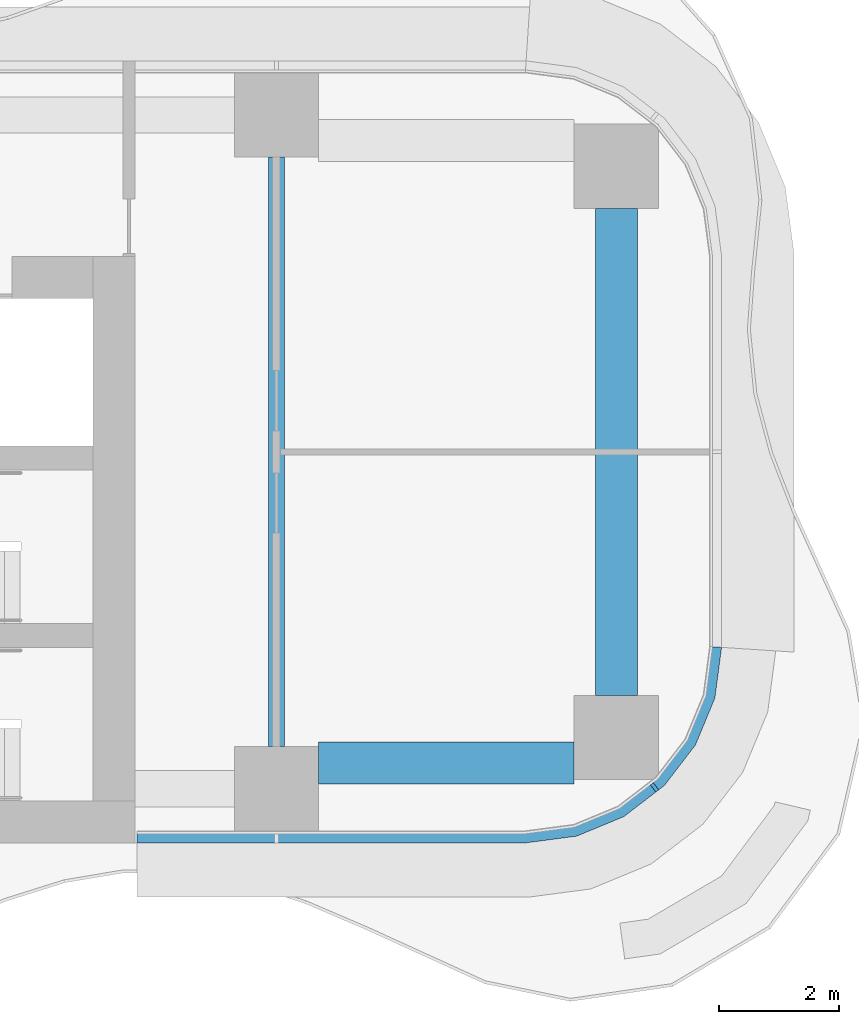
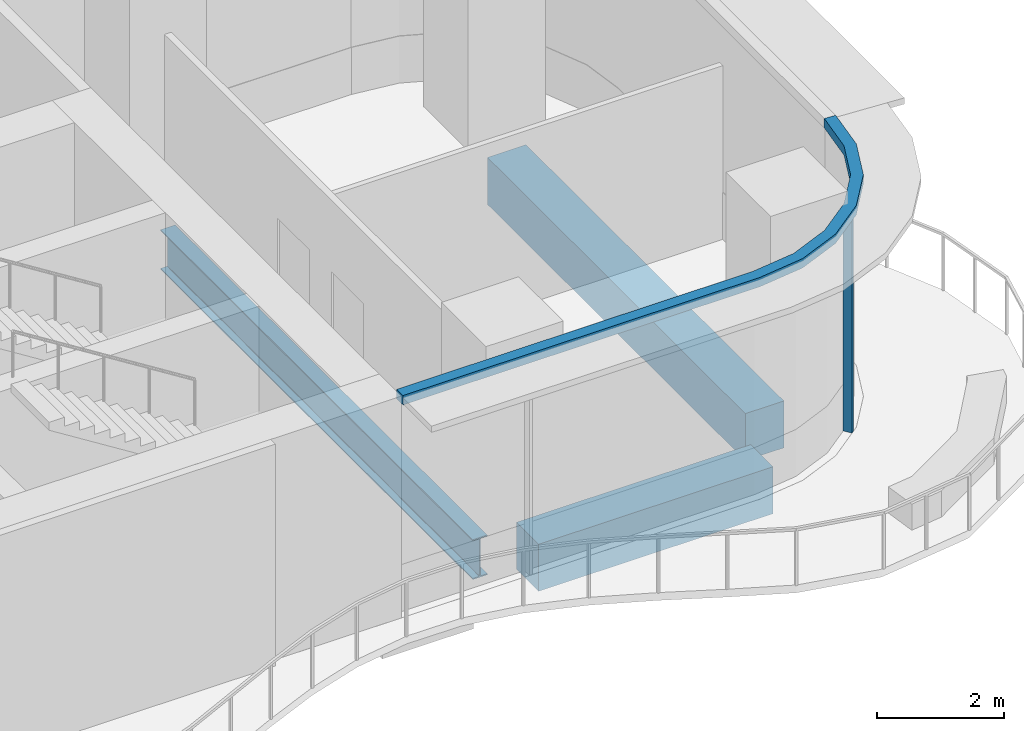
# One storey, part 7 of 22: 3 beams, 2 members, 1 element without a shape of its own.
"""IFC4 building model written with IfcOpenShell, lengths in metres."""

import ifcopenshell
import ifcopenshell.guid

model = None  # the IFC model being written
_history = None  # IfcOwnerHistory: only IFC2X3 demands one
_inside = {}  # id of a spatial element -> (the spatial element, [elements in it])
_under = {}  # id of a project, library or spatial element -> (it, [spatial elements below it])
_declared = {}  # id of a project -> (the project, [libraries it declares])
_typed = {}  # id of a type object -> (the type object, [elements of that type])
_made_of = {}  # id of a material, layer set ... -> (it, [elements and type objects made of it])


def new_model(schema):
    """Start an empty IFC model of exactly this schema.

    Asked for "IFC4X3", IfcOpenShell would pick the latest addendum, in which some entities
    have other attributes; the version numbers below select the first issue.
    IFC2X3 requires an IfcOwnerHistory on every rooted entity: one is made here for all.
    """
    global model, _history
    if schema == "IFC4X3":
        model = ifcopenshell.file(schema_version=(4, 3, 0, 0))
    else:
        model = ifcopenshell.file(schema=schema)
    _inside.clear()
    _under.clear()
    _declared.clear()
    _typed.clear()
    _made_of.clear()
    _history = None
    if model.schema == "IFC2X3":
        org = make("IfcOrganization", Name="unknown")
        user = make(
            "IfcPersonAndOrganization",
            ThePerson=make("IfcPerson", FamilyName="unknown"),
            TheOrganization=org,
        )
        app = make(
            "IfcApplication",
            ApplicationDeveloper=org,
            Version="unknown",
            ApplicationFullName="unknown",
            ApplicationIdentifier="unknown",
        )
        _history = make(
            "IfcOwnerHistory",
            OwningUser=user,
            OwningApplication=app,
            ChangeAction="ADDED",
            CreationDate=0,
        )
    return model


def make(cls, **values):
    """One entity of the class cls with the attributes given. An attribute that is None is left unset."""
    return model.create_entity(
        cls, **{name: value for name, value in values.items() if value is not None}
    )


def rooted(cls, **values):
    """An entity with a GlobalId (a new one), such as an element, a storey or a relation."""
    return make(cls, GlobalId=ifcopenshell.guid.new(), OwnerHistory=_history, **values)


def si_unit(unit_type, name, prefix=None):
    """IfcSIUnit, for example si_unit("LENGTHUNIT", "METRE", prefix="MILLI")."""
    return make("IfcSIUnit", UnitType=unit_type, Prefix=prefix, Name=name)


def assignment(units):
    """IfcUnitAssignment: the units of a project."""
    return None if units is None else make("IfcUnitAssignment", Units=units)


def point(xyz):
    """IfcCartesianPoint."""
    return None if xyz is None else make("IfcCartesianPoint", Coordinates=xyz)


def direction(xyz):
    """IfcDirection."""
    return None if xyz is None else make("IfcDirection", DirectionRatios=xyz)


def frame(location, z_axis=None, x_axis=None):
    """IfcAxis2Placement3D, a coordinate frame: its origin and axes. An axis left out is left unset."""
    return make(
        "IfcAxis2Placement3D",
        Location=point(location),
        Axis=direction(z_axis),
        RefDirection=direction(x_axis),
    )


def frame_2d(location, x_axis=None):
    """IfcAxis2Placement2D, a coordinate frame in the plane: its origin and x axis."""
    return make(
        "IfcAxis2Placement2D", Location=point(location), RefDirection=direction(x_axis)
    )


def origin():
    """The frame at (0, 0, 0) with its axes left unset."""
    return frame((0.0, 0.0, 0.0))


def origin_2d():
    """The frame at (0, 0) in the plane with its x axis left unset."""
    return frame_2d((0.0, 0.0))


def place(relative_to, where):
    """IfcLocalPlacement: puts the frame where relative to a parent placement (None: the world)."""
    return make(
        "IfcLocalPlacement", PlacementRelTo=relative_to, RelativePlacement=where
    )


def context(
    kind, dimensions, precision=None, world=None, true_north=None, identifier=None
):
    """IfcGeometricRepresentationContext, for example the 3D "Model" context."""
    return make(
        "IfcGeometricRepresentationContext",
        ContextIdentifier=identifier,
        ContextType=kind,
        CoordinateSpaceDimension=dimensions,
        Precision=precision,
        WorldCoordinateSystem=world,
        TrueNorth=true_north,
    )


def subcontext(parent, identifier, kind, view, scale=None):
    """IfcGeometricRepresentationSubContext, for example "Body" below "Model"."""
    return make(
        "IfcGeometricRepresentationSubContext",
        ContextIdentifier=identifier,
        ContextType=kind,
        ParentContext=parent,
        TargetScale=scale,
        TargetView=view,
    )


def project(units=None, contexts=None):
    """IfcProject with its units and contexts."""
    return rooted(
        "IfcProject",
        Name="project",
        RepresentationContexts=contexts,
        UnitsInContext=assignment(units),
    )


def spatial(cls, under=None, at=None, **own):
    """A site, building, storey or space (cls), placed at a placement, below another one or the project."""
    s = rooted(cls, ObjectPlacement=at, **own)
    if under is not None:
        _under.setdefault(under.id(), (under, []))[1].append(s)
    return s


def polyline(points):
    """IfcPolyline through the points."""
    return make("IfcPolyline", Points=[point(p) for p in points])


def profile(cls, at=None, kind="AREA", **sizes):
    """A parametric profile (cls). Its sizes go by their IFC names, for example OverallWidth=200.0."""
    return make(cls, ProfileType=kind, Position=at, **sizes)


def rectangle(**sizes):
    """IfcRectangleProfileDef."""
    return profile("IfcRectangleProfileDef", **sizes)


def i_section(**sizes):
    """IfcIShapeProfileDef."""
    return profile("IfcIShapeProfileDef", **sizes)


def outline(outer, holes=None, kind="AREA"):
    """IfcArbitraryClosedProfileDef: a profile drawn as a closed curve; with holes, ...WithVoids."""
    if holes is None:
        return make("IfcArbitraryClosedProfileDef", ProfileType=kind, OuterCurve=outer)
    return make(
        "IfcArbitraryProfileDefWithVoids",
        ProfileType=kind,
        OuterCurve=outer,
        InnerCurves=holes,
    )


def extrude(swept, where, along, depth):
    """IfcExtrudedAreaSolid: the profile swept, set in the frame where, extruded along a direction by depth."""
    return make(
        "IfcExtrudedAreaSolid",
        SweptArea=swept,
        Position=where,
        ExtrudedDirection=direction(along),
        Depth=depth,
    )


def shape(context_of_items, identifier, shape_type, items):
    """IfcShapeRepresentation: the items that make up one representation, for example the "Body"."""
    return make(
        "IfcShapeRepresentation",
        ContextOfItems=context_of_items,
        RepresentationIdentifier=identifier,
        RepresentationType=shape_type,
        Items=items,
    )


def source(mapping_origin, context_of_items, identifier, shape_type, items):
    """IfcRepresentationMap: a shape defined once, which mapped items show again and again."""
    return make(
        "IfcRepresentationMap",
        MappingOrigin=mapping_origin,
        MappedRepresentation=shape(context_of_items, identifier, shape_type, items),
    )


def transform(
    local_origin,
    x_axis=None,
    y_axis=None,
    z_axis=None,
    scale=None,
    scale2=None,
    scale3=None,
    uniform=True,
):
    """IfcCartesianTransformationOperator3D, or its non-uniform kind. x_axis, y_axis, z_axis: its Axis1, 2, 3."""
    if uniform:
        return make(
            "IfcCartesianTransformationOperator3D",
            Axis1=direction(x_axis),
            Axis2=direction(y_axis),
            LocalOrigin=point(local_origin),
            Scale=scale,
            Axis3=direction(z_axis),
        )
    return make(
        "IfcCartesianTransformationOperator3DnonUniform",
        Axis1=direction(x_axis),
        Axis2=direction(y_axis),
        LocalOrigin=point(local_origin),
        Scale=scale,
        Axis3=direction(z_axis),
        Scale2=scale2,
        Scale3=scale3,
    )


def mapped(mapping_source, mapping_target):
    """IfcMappedItem: shows the shape of a source again, moved by a transform."""
    return make(
        "IfcMappedItem", MappingSource=mapping_source, MappingTarget=mapping_target
    )


def material(Name=None, Category=None):
    """IfcMaterial."""
    return make("IfcMaterial", Name=Name, Category=Category)


def layer(
    of_material, thickness, ventilated=None, Name=None, Category=None, Priority=None
):
    """IfcMaterialLayer: one layer of a wall or slab, of a material (None: an air gap)."""
    return make(
        "IfcMaterialLayer",
        Material=of_material,
        LayerThickness=thickness,
        IsVentilated=ventilated,
        Name=Name,
        Category=Category,
        Priority=Priority,
    )


def layer_set(layers, Name=None):
    """IfcMaterialLayerSet."""
    return make("IfcMaterialLayerSet", MaterialLayers=layers, LayerSetName=Name)


def material_profile(
    of_material, cross_section, Name=None, Category=None, Priority=None
):
    """IfcMaterialProfile: a cross section and its material."""
    return make(
        "IfcMaterialProfile",
        Name=Name,
        Material=of_material,
        Profile=cross_section,
        Priority=Priority,
        Category=Category,
    )


def profile_set(profiles, Name=None, composite=None):
    """IfcMaterialProfileSet."""
    return make(
        "IfcMaterialProfileSet",
        Name=Name,
        MaterialProfiles=profiles,
        CompositeProfile=composite,
    )


def made_of(thing, what):
    """Note that an element or type object is made of a material, layer set ...; save() writes the relation."""
    if what is not None:
        _made_of.setdefault(what.id(), (what, []))[1].append(thing)
    return thing


def type_object(cls, material=None, **own):
    """A type object (cls), such as IfcWallType, which elements share."""
    return made_of(rooted(cls, **own), material)


def element(
    cls,
    number,
    at=None,
    inside=None,
    cuts=None,
    type_object=None,
    material=None,
    context=None,
    identifier="Body",
    shape_type=None,
    held_by="IfcProductDefinitionShape",
    body=None,
    shapes=None,
    **own,
):
    """One element of the class cls, such as IfcWall. Its Tag is "e" and its number.

    at: its placement. inside: the storey or other place that contains it. cuts: it is an
    opening in that element (IfcRelVoidsElement). A single representation is given by context,
    identifier, shape_type and body (its items); several are given by shapes. held_by: the class
    of the entity that holds the representations. save() writes the other relations.
    """
    e = rooted(cls, Tag="e%d" % number, ObjectPlacement=at, **own)
    if body is not None:
        shapes = [shape(context, identifier, shape_type, body)]
    if shapes is not None:
        e.Representation = make(held_by, Representations=shapes)
    if inside is not None:
        _inside.setdefault(inside.id(), (inside, []))[1].append(e)
    if cuts is not None:
        rooted(
            "IfcRelVoidsElement", RelatingBuildingElement=cuts, RelatedOpeningElement=e
        )
    if type_object is not None:
        _typed.setdefault(type_object.id(), (type_object, []))[1].append(e)
    return made_of(e, material)


def aggregate(whole, parts):
    """IfcRelAggregates: a whole, such as a stair, and the parts it consists of."""
    return rooted("IfcRelAggregates", RelatingObject=whole, RelatedObjects=parts)


def save(model, path):
    """Write the relations noted so far, then the file.

    IfcRelAggregates (storeys below a building ...), IfcRelContainedInSpatialStructure (elements
    in a storey), IfcRelDefinesByType, IfcRelAssociatesMaterial and IfcRelDeclares: one each for
    every whole, place, type object, material and project.
    """
    for whole, parts in _under.values():
        aggregate(whole, parts)
    for where, things in _inside.values():
        rooted(
            "IfcRelContainedInSpatialStructure",
            RelatedElements=things,
            RelatingStructure=where,
        )
    for kind, things in _typed.values():
        rooted("IfcRelDefinesByType", RelatedObjects=things, RelatingType=kind)
    for what, things in _made_of.values():
        rooted("IfcRelAssociatesMaterial", RelatedObjects=things, RelatingMaterial=what)
    for by, libraries in _declared.values():
        rooted("IfcRelDeclares", RelatingContext=by, RelatedDefinitions=libraries)
    model.write(path)


model = new_model("IFC4")

# Units and contexts
model_context = context("Model", 3, precision=1e-05, world=origin(), true_north=direction((0.0, 1.0)))
body_context = subcontext(model_context, "Body", "Model", "MODEL_VIEW")
ifc_project = project(units=[si_unit("LENGTHUNIT", "METRE"), si_unit("AREAUNIT", "SQUARE_METRE"), si_unit("VOLUMEUNIT", "CUBIC_METRE"), si_unit("PLANEANGLEUNIT", "RADIAN"), si_unit("MASSUNIT", "GRAM", prefix="KILO")], contexts=[model_context])

# Site, building, storey
site_placement = place(None, origin())
site = spatial("IfcSite", under=ifc_project, at=site_placement, CompositionType="ELEMENT")
building_placement = place(site_placement, origin())
building = spatial("IfcBuilding", under=site, at=building_placement, Name="Trellis Farm Tower", CompositionType="ELEMENT")
storey_placement = place(building_placement, frame((0.0, 0.0, 56.5)))
storey = spatial("IfcBuildingStorey", under=building, at=storey_placement, Name="L11", CompositionType="ELEMENT", Elevation=56.5)

# Beams
ifc_material_1 = material(Name="Steel S355", Category="steel")
ifc_material_profile_1 = material_profile(ifc_material_1, i_section(OverallWidth=0.2666015625, OverallDepth=0.76220703125, WebThickness=0.014404296875, FlangeThickness=0.021484375, FilletRadius=0.0166015625, at=origin_2d()), Name="UB 762x267x173")
ifc_profile_set_1 = profile_set([ifc_material_profile_1], Name="Steel S355")
beam_type_1 = type_object("IfcBeamType", Name="UB 762x267x173", PredefinedType="BEAM", material=ifc_profile_set_1)
shared_shape_1 = source(origin(), body_context, "Body", "SweptSolid", [
    extrude(i_section(OverallWidth=0.2666015625, OverallDepth=0.76220703125, WebThickness=0.014404296875, FlangeThickness=0.021484375, FilletRadius=0.0166015625, at=origin_2d()), origin(), (0.0, 0.0, 1.0), 9.7998046875),
])
beam_1_placement = place(storey_placement, frame((25.10009765625, -4.89990234375, -0.631103515625), z_axis=(0.0, 1.0, 0.0), x_axis=(-1.0, 0.0, 0.0)))
element("IfcBeam", 1, at=beam_1_placement, inside=storey, type_object=beam_type_1, Name="Girder", PredefinedType="BEAM", context=body_context, shape_type="MappedRepresentation", body=[
    mapped(shared_shape_1, transform((0.0, 0.0, 0.0))),
])
ifc_material_2 = material(Name="Concrete C60/75", Category="concrete")
ifc_material_profile_2 = material_profile(ifc_material_2, rectangle(XDim=0.699951171875, YDim=0.89990234375, at=origin_2d()), Name="RC spandrel beam 700x900 C60/75")
ifc_profile_set_2 = profile_set([ifc_material_profile_2], Name="Concrete C60/75")
beam_type_2 = type_object("IfcBeamType", Name="RC spandrel beam 700x900 C60/75", PredefinedType="SPANDREL", material=ifc_profile_set_2)
shared_shape_2 = source(origin(), body_context, "Body", "SweptSolid", [
    extrude(rectangle(XDim=0.699951171875, YDim=0.89990234375, at=origin_2d()), origin(), (0.0, 0.0, 1.0), 4.25),
])
beam_2_placement = place(storey_placement, frame((25.800048828125, -5.175048828125, -0.699951171875), z_axis=(1.0, 0.0, 0.0), x_axis=(0.0, 1.0, 0.0)))
element("IfcBeam", 2, at=beam_2_placement, inside=storey, type_object=beam_type_2, Name="Girder", PredefinedType="SPANDREL", context=body_context, shape_type="MappedRepresentation", body=[
    mapped(shared_shape_2, transform((0.0, 0.0, 0.0))),
])
shared_shape_3 = source(origin(), body_context, "Body", "SweptSolid", [
    extrude(rectangle(XDim=0.699951171875, YDim=0.89990234375, at=origin_2d()), origin(), (0.0, 0.0, 1.0), 8.10009765625),
])
beam_3_placement = place(storey_placement, frame((30.75, -4.050048828125, -0.699951171875), z_axis=(0.0, 1.0, 0.0), x_axis=(-1.0, 0.0, 0.0)))
element("IfcBeam", 3, at=beam_3_placement, inside=storey, type_object=beam_type_2, Name="Girder", PredefinedType="SPANDREL", context=body_context, shape_type="MappedRepresentation", body=[
    mapped(shared_shape_3, transform((0.0, 0.0, 0.0))),
])

# Curtain wall, members
ifc_material_3 = material(Name="Aluminium and glass curtain wall", Category="aluminium")
ifc_layer_1 = layer(ifc_material_3, 0.18994140625)
ifc_layer_set_1 = layer_set([ifc_layer_1], Name="RIBBON CURTAIN WALL CW1")
curtain_wall_type = type_object("IfcCurtainWallType", Name="RIBBON CURTAIN WALL CW1", PredefinedType="NOTDEFINED", material=ifc_layer_set_1)
curtain_wall_placement = place(storey_placement, origin())
curtain_wall = element("IfcCurtainWall", 4, at=curtain_wall_placement, inside=storey, type_object=curtain_wall_type, Name="CW1 006", PredefinedType="NOTDEFINED")
ifc_material_4 = material(Name="Aluminium extrusion 6063-T6", Category="aluminium")
ifc_material_profile_3 = material_profile(ifc_material_4, rectangle(XDim=0.06005859375, YDim=0.14990234375, at=origin_2d()), Name="MULLION 60x150")
ifc_profile_set_3 = profile_set([ifc_material_profile_3], Name="Aluminium extrusion 6063-T6")
member_type_1 = type_object("IfcMemberType", Name="CW1 MULLION 60x150", PredefinedType="MULLION", material=ifc_profile_set_3)
shared_shape_4 = source(origin(), body_context, "Body", "SweptSolid", [
    extrude(rectangle(XDim=0.06005859375, YDim=0.14990234375, at=origin_2d()), origin(), (0.0, 0.0, 1.0), 4.070068359375),
])
member_1_placement = place(storey_placement, frame((31.385498046875, -5.578369140625, 0.0), z_axis=(0.0, 0.0, 1.0), x_axis=(0.793353340291, 0.608761429009, 0.0)))
member_1 = element("IfcMember", 5, at=member_1_placement, type_object=member_type_1, Name="MU1 006-02", PredefinedType="MULLION", context=body_context, shape_type="MappedRepresentation", body=[
    mapped(shared_shape_4, transform((0.0, 0.0, 0.0))),
])
ifc_layer_2 = layer(ifc_material_4, 0.199951171875)
ifc_layer_set_2 = layer_set([ifc_layer_2], Name="Aluminium extrusion 6063-T6")
member_type_2 = type_object("IfcMemberType", Name="CW1 TRANSOM 200x180", PredefinedType="USERDEFINED", material=ifc_layer_set_2)
shared_shape_5 = source(origin(), body_context, "Body", "SweptSolid", [
    extrude(outline(polyline([(22.780029296875, -6.5), (29.25, -6.5), (30.091064453125, -6.38916015625), (30.875, -6.064697265625), (31.548095703125, -5.548095703125), (32.064697265625, -4.875), (32.38916015625, -4.091064453125), (32.5, -3.25), (32.300048828125, -3.23681640625), (32.1943359375, -4.0390625), (31.889892578125, -4.774169921875), (31.405517578125, -5.405517578125), (30.774169921875, -5.889892578125), (30.0390625, -6.1943359375), (29.23681640625, -6.300048828125), (22.780029296875, -6.300048828125), (22.780029296875, -6.5)])), origin(), (0.0, 0.0, 1.0), 0.179931640625),
])
member_2_placement = place(storey_placement, frame((0.0, 0.0, 4.070068359375)))
member_2 = element("IfcMember", 6, at=member_2_placement, type_object=member_type_2, Name="TR1 006", ObjectType="TRANSOM", PredefinedType="USERDEFINED", context=body_context, shape_type="MappedRepresentation", body=[
    mapped(shared_shape_5, transform((0.0, 0.0, 0.0))),
])
aggregate(curtain_wall, [member_1, member_2])

save(model, "model.ifc")
